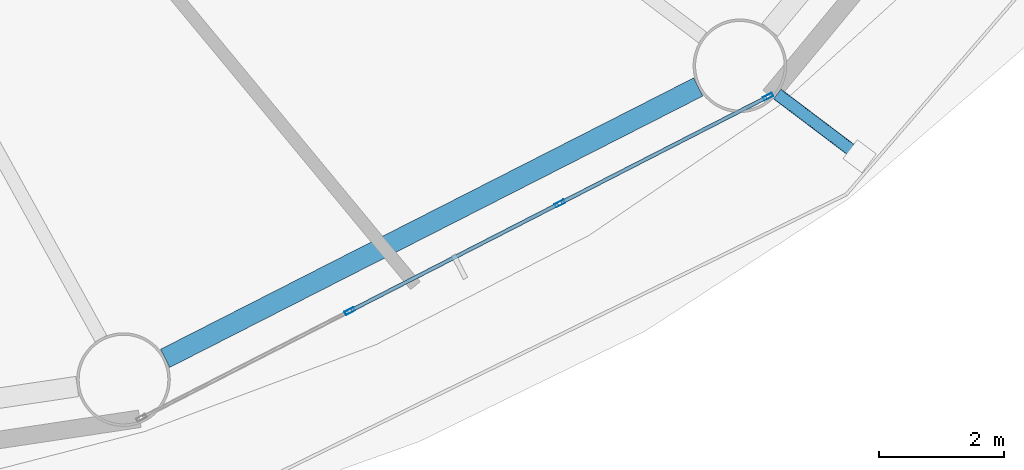
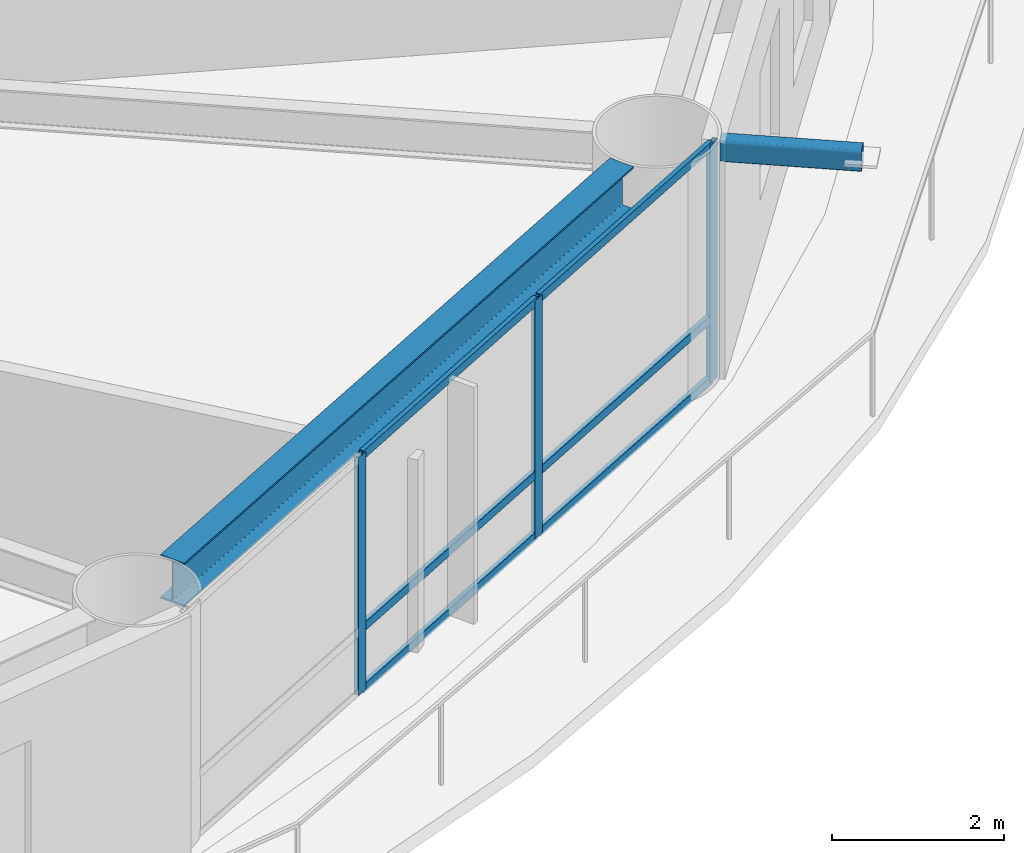
# One storey, part 8 of 28: 10 members, 1 beam, 1 element without a shape of its own.
"""IFC4 building model written with IfcOpenShell, lengths in metres."""

from ifc_helpers import new_model, si_unit, direction, frame, origin, origin_2d, place, context, subcontext, project, spatial, hollow_rectangle, i_section, extrude, material, layer, layer_set, material_profile, profile_set, type_object, element, aggregate, save


model = new_model("IFC4")

# Units and contexts
model_context = context("Model", 3, precision=1e-05, world=origin(), true_north=direction((0.0, 1.0)))
body_context = subcontext(model_context, "Body", "Model", "MODEL_VIEW")
ifc_project = project(units=[si_unit("LENGTHUNIT", "METRE"), si_unit("AREAUNIT", "SQUARE_METRE"), si_unit("VOLUMEUNIT", "CUBIC_METRE"), si_unit("PLANEANGLEUNIT", "RADIAN"), si_unit("MASSUNIT", "GRAM", prefix="KILO")], contexts=[model_context])

# Site, building, storey
site_placement = place(None, origin())
site = spatial("IfcSite", under=ifc_project, at=site_placement, CompositionType="ELEMENT")
building_placement = place(site_placement, origin())
building = spatial("IfcBuilding", under=site, at=building_placement, Name="Sarneth Arch Tower", CompositionType="ELEMENT")
storey_placement = place(building_placement, frame((0.0, 0.0, 31.800048828125)))
storey = spatial("IfcBuildingStorey", under=building, at=storey_placement, Name="L06", CompositionType="ELEMENT", Elevation=31.800048828125)

# Beam
ifc_material_1 = material(Name="Steel S355", Category="steel")
ifc_material_profile_1 = material_profile(ifc_material_1, i_section(OverallWidth=0.326904296875, OverallDepth=0.6220703125, WebThickness=0.015380859375, FlangeThickness=0.0244140625, FilletRadius=0.01904296875, at=origin_2d()), Name="W610x195")
ifc_profile_set_1 = profile_set([ifc_material_profile_1], Name="Steel S355")
beam_type = type_object("IfcBeamType", Name="BM-SPAN-610A", PredefinedType="SPANDREL", material=ifc_profile_set_1)
beam_placement = place(storey_placement, frame((60.486083984375, 20.90625, 3.06884765625), z_axis=(0.891169106887, 0.453671271882, 0.0), x_axis=(-0.453671271882, 0.891169106887, 0.0)))
element("IfcBeam", 1, at=beam_placement, inside=storey, type_object=beam_type, Name="L06 Perimeter spandrel beam 14", PredefinedType="SPANDREL", context=body_context, shape_type="SweptSolid", body=[
    extrude(i_section(OverallWidth=0.326904296875, OverallDepth=0.6220703125, WebThickness=0.015380859375, FlangeThickness=0.0244140625, FilletRadius=0.01904296875, at=origin_2d()), origin(), (0.0, 0.0, 1.0), 9.58544921875),
])

# Curtain wall, members
ifc_material_2 = material(Name="Anodised aluminium Type AA25 and solar-control low-e laminated IGU", Category="aluminium")
ifc_layer = layer(ifc_material_2, 0.159912109375)
ifc_layer_set = layer_set([ifc_layer], Name="Anodised aluminium Type AA25 and solar-control low-e laminated IGU")
curtain_wall_type = type_object("IfcCurtainWallType", Name="CW-HOTEL-LOW", PredefinedType="NOTDEFINED", material=ifc_layer_set)
curtain_wall_placement = place(storey_placement, origin())
curtain_wall = element("IfcCurtainWall", 2, at=curtain_wall_placement, inside=storey, type_object=curtain_wall_type, Name="L06 Unitised curtain wall facet 14", PredefinedType="NOTDEFINED")
ifc_material_3 = material(Name="Anodised Aluminium 6063-T6", Category="aluminium")
ifc_material_profile_2 = material_profile(ifc_material_3, hollow_rectangle(XDim=0.06005859375, YDim=0.159912109375, WallThickness=0.00390625, at=origin_2d()), Name="AL-MULL-160x60x4")
ifc_profile_set_2 = profile_set([ifc_material_profile_2], Name="Anodised Aluminium 6063-T6")
member_type_1 = type_object("IfcMemberType", Name="CW-MULLION", PredefinedType="MULLION", material=ifc_profile_set_2)
member_1_placement = place(storey_placement, frame((63.443359375, 21.663330078125, 0.0), z_axis=(0.0, 0.0, 1.0), x_axis=(-0.456245197127, 0.889854100456, 0.0)))
member_1 = element("IfcMember", 3, at=member_1_placement, type_object=member_type_1, Name="CW-SYS-3 mullion 2", PredefinedType="MULLION", context=body_context, shape_type="SweptSolid", body=[
    extrude(hollow_rectangle(XDim=0.06005859375, YDim=0.159912109375, WallThickness=0.00390625, at=origin_2d()), origin(), (0.0, 0.0, 1.0), 3.3798828125),
])
member_2_placement = place(storey_placement, frame((66.80859375, 23.388671875, 0.0), z_axis=(0.0, 0.0, 1.0), x_axis=(-0.456245197127, 0.889854100456, 0.0)))
member_2 = element("IfcMember", 4, at=member_2_placement, type_object=member_type_1, Name="CW-SYS-3 mullion 3", PredefinedType="MULLION", context=body_context, shape_type="SweptSolid", body=[
    extrude(hollow_rectangle(XDim=0.06005859375, YDim=0.159912109375, WallThickness=0.00390625, at=origin_2d()), origin(), (0.0, 0.0, 1.0), 3.3798828125),
])
member_3_placement = place(storey_placement, frame((70.1474609375, 25.1005859375, 0.0), z_axis=(0.0, 0.0, 1.0), x_axis=(-0.456245197127, 0.889854100456, 0.0)))
member_3 = element("IfcMember", 5, at=member_3_placement, type_object=member_type_1, Name="CW-SYS-3 mullion 4", PredefinedType="MULLION", context=body_context, shape_type="SweptSolid", body=[
    extrude(hollow_rectangle(XDim=0.06005859375, YDim=0.159912109375, WallThickness=0.00390625, at=origin_2d()), origin(), (0.0, 0.0, 1.0), 3.3798828125),
])
ifc_material_4 = material(Name="Anodised Aluminium 6063-T6", Category="aluminium")
ifc_material_profile_3 = material_profile(ifc_material_4, hollow_rectangle(XDim=0.06005859375, YDim=0.1201171875, WallThickness=0.00390625, at=origin_2d()), Name="AL-TRAN-120x60x4")
ifc_profile_set_3 = profile_set([ifc_material_profile_3], Name="Anodised Aluminium 6063-T6")
member_type_2 = type_object("IfcMemberType", Name="CW-TRANSOM", PredefinedType="USERDEFINED", material=ifc_profile_set_3)
member_4_placement = place(storey_placement, frame((63.469970703125, 21.677001953125, 0.030029296875), z_axis=(0.889868677022, 0.456216766083, 0.0), x_axis=(-0.456216766083, 0.889868677022, 0.0)))
member_4 = element("IfcMember", 6, at=member_4_placement, type_object=member_type_2, Name="CW-SYS-3 transom 2.1", ObjectType="TRANSOM", PredefinedType="USERDEFINED", context=body_context, shape_type="SweptSolid", body=[
    extrude(hollow_rectangle(XDim=0.06005859375, YDim=0.1201171875, WallThickness=0.00390625, at=origin_2d()), origin(), (0.0, 0.0, 1.0), 3.721923828125),
])
member_5_placement = place(storey_placement, frame((63.469970703125, 21.677001953125, 0.89990234375), z_axis=(0.889868677022, 0.456216766083, 0.0), x_axis=(-0.456216766083, 0.889868677022, 0.0)))
member_5 = element("IfcMember", 7, at=member_5_placement, type_object=member_type_2, Name="CW-SYS-3 transom 2.2", ObjectType="TRANSOM", PredefinedType="USERDEFINED", context=body_context, shape_type="SweptSolid", body=[
    extrude(hollow_rectangle(XDim=0.06005859375, YDim=0.1201171875, WallThickness=0.00390625, at=origin_2d()), origin(), (0.0, 0.0, 1.0), 3.721923828125),
])
member_6_placement = place(storey_placement, frame((63.469970703125, 21.677001953125, 3.349853515625), z_axis=(0.889868677022, 0.456216766083, 0.0), x_axis=(-0.456216766083, 0.889868677022, 0.0)))
member_6 = element("IfcMember", 8, at=member_6_placement, type_object=member_type_2, Name="CW-SYS-3 transom 2.3", ObjectType="TRANSOM", PredefinedType="USERDEFINED", context=body_context, shape_type="SweptSolid", body=[
    extrude(hollow_rectangle(XDim=0.06005859375, YDim=0.1201171875, WallThickness=0.00390625, at=origin_2d()), origin(), (0.0, 0.0, 1.0), 3.721923828125),
])
member_7_placement = place(storey_placement, frame((66.83544921875, 23.402587890625, 0.030029296875), z_axis=(0.889871845224, 0.456210586327, 0.0), x_axis=(-0.456210586327, 0.889871845224, 0.0)))
member_7 = element("IfcMember", 9, at=member_7_placement, type_object=member_type_2, Name="CW-SYS-3 transom 3.1", ObjectType="TRANSOM", PredefinedType="USERDEFINED", context=body_context, shape_type="SweptSolid", body=[
    extrude(hollow_rectangle(XDim=0.06005859375, YDim=0.1201171875, WallThickness=0.00390625, at=origin_2d()), origin(), (0.0, 0.0, 1.0), 3.69189453125),
])
member_8_placement = place(storey_placement, frame((66.83544921875, 23.402587890625, 0.89990234375), z_axis=(0.889871845224, 0.456210586327, 0.0), x_axis=(-0.456210586327, 0.889871845224, 0.0)))
member_8 = element("IfcMember", 10, at=member_8_placement, type_object=member_type_2, Name="CW-SYS-3 transom 3.2", ObjectType="TRANSOM", PredefinedType="USERDEFINED", context=body_context, shape_type="SweptSolid", body=[
    extrude(hollow_rectangle(XDim=0.06005859375, YDim=0.1201171875, WallThickness=0.00390625, at=origin_2d()), origin(), (0.0, 0.0, 1.0), 3.69189453125),
])
member_9_placement = place(storey_placement, frame((66.83544921875, 23.402587890625, 3.349853515625), z_axis=(0.889871845224, 0.456210586327, 0.0), x_axis=(-0.456210586327, 0.889871845224, 0.0)))
member_9 = element("IfcMember", 11, at=member_9_placement, type_object=member_type_2, Name="CW-SYS-3 transom 3.3", ObjectType="TRANSOM", PredefinedType="USERDEFINED", context=body_context, shape_type="SweptSolid", body=[
    extrude(hollow_rectangle(XDim=0.06005859375, YDim=0.1201171875, WallThickness=0.00390625, at=origin_2d()), origin(), (0.0, 0.0, 1.0), 3.69189453125),
])
aggregate(curtain_wall, [member_1, member_2, member_3, member_4, member_5, member_6, member_7, member_8, member_9])

# Member
ifc_material_5 = material(Name="Steel S355", Category="steel")
ifc_material_profile_4 = material_profile(ifc_material_5, hollow_rectangle(XDim=0.199951171875, YDim=0.300048828125, WallThickness=0.012451171875, InnerFilletRadius=0.018798828125, OuterFilletRadius=0.03125, at=origin_2d()), Name="RHS300x200x12.5")
ifc_profile_set_4 = profile_set([ifc_material_profile_4], Name="Steel S355")
member_type_3 = type_object("IfcMemberType", Name="MEM-CANT-STRUT", PredefinedType="STRUT", material=ifc_profile_set_4)
member_10_placement = place(storey_placement, frame((70.294921875, 25.142822265625, 3.219970703125), z_axis=(0.797623001242, -0.603156321272, 0.0), x_axis=(0.603156321272, 0.797623001242, 0.0)))
element("IfcMember", 12, at=member_10_placement, inside=storey, type_object=member_type_3, Name="L06 Balcony cantilever bracket 15", PredefinedType="STRUT", context=body_context, shape_type="SweptSolid", body=[
    extrude(hollow_rectangle(XDim=0.199951171875, YDim=0.300048828125, WallThickness=0.012451171875, InnerFilletRadius=0.018798828125, OuterFilletRadius=0.03125, at=origin_2d()), origin(), (0.0, 0.0, 1.0), 1.656005859375),
])

save(model, "model.ifc")
